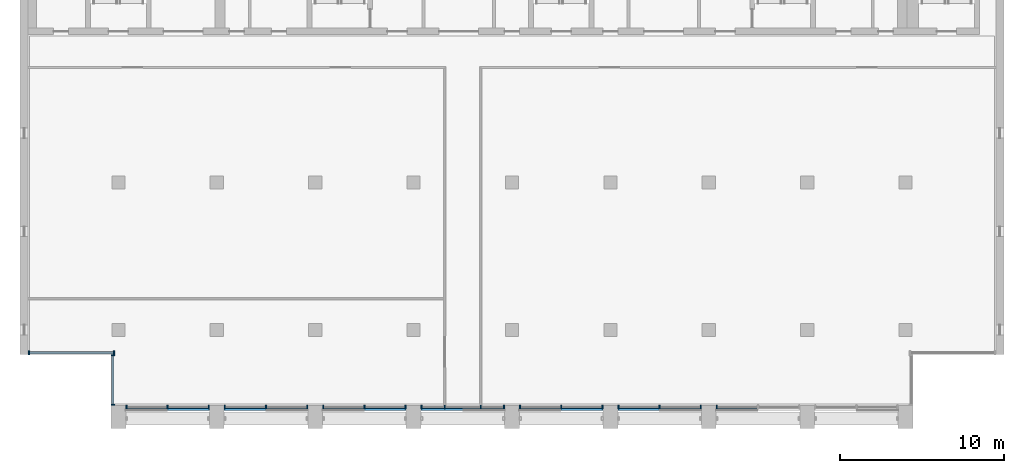
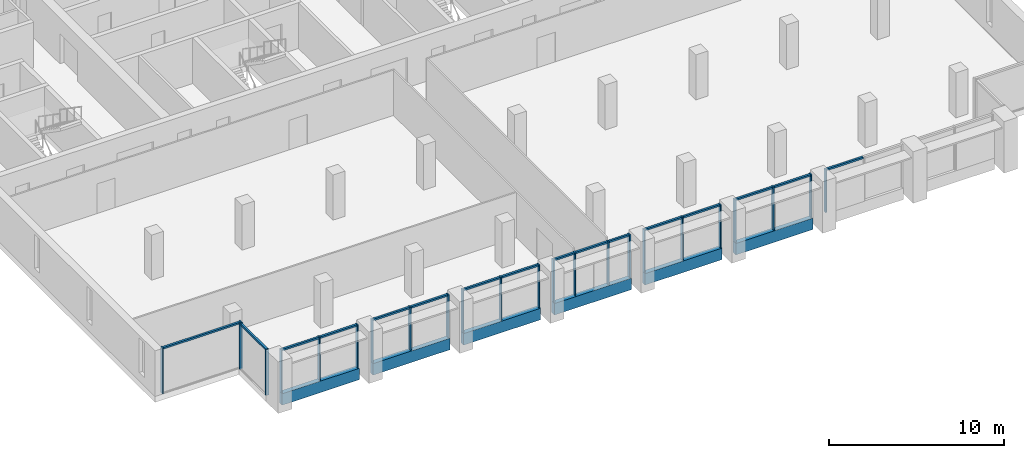
# One storey, part 2 of 14: 40 members, 6 beams, 9 elements without a shape of their own.
"""IFC4 building model written with IfcOpenShell, lengths in metres."""

from ifc_helpers import new_model, si_unit, direction, frame, origin, origin_2d, place, context, subcontext, project, spatial, rectangle, extrude, material, material_profile, profile_set, type_object, element, aggregate, save


model = new_model("IFC4")

# Units and contexts
model_context = context("Model", 3, precision=1e-05, world=origin(), true_north=direction((0.0, 1.0)))
body_context = subcontext(model_context, "Body", "Model", "MODEL_VIEW")
ifc_project = project(units=[si_unit("LENGTHUNIT", "METRE"), si_unit("AREAUNIT", "SQUARE_METRE"), si_unit("VOLUMEUNIT", "CUBIC_METRE"), si_unit("PLANEANGLEUNIT", "RADIAN"), si_unit("MASSUNIT", "GRAM", prefix="KILO")], contexts=[model_context])

# Site, building, storey
site_placement = place(None, origin())
site = spatial("IfcSite", under=ifc_project, at=site_placement, CompositionType="ELEMENT")
building_placement = place(site_placement, origin())
building = spatial("IfcBuilding", under=site, at=building_placement, Name="Calvaro Tower", CompositionType="ELEMENT")
storey_placement = place(building_placement, frame((0.0, 0.0, 262.14990234375)))
storey = spatial("IfcBuildingStorey", under=building, at=storey_placement, Name="L66", CompositionType="ELEMENT", Elevation=262.14990234375)

# Curtain wall, members
ifc_material_1 = material(Name="Anodised aluminium", Category="aluminium")
curtain_wall_type = type_object("IfcCurtainWallType", Name="Executive curtain wall", PredefinedType="NOTDEFINED", material=ifc_material_1)
curtain_wall_1_placement = place(storey_placement, origin())
curtain_wall_1 = element("IfcCurtainWall", 1, at=curtain_wall_1_placement, inside=storey, type_object=curtain_wall_type, Name="CW4 south curtain wall", PredefinedType="NOTDEFINED")
ifc_material_2 = material(Name="Anodised aluminium", Category="aluminium")
ifc_material_profile_1 = material_profile(ifc_material_2, rectangle(XDim=0.219970703125, YDim=0.080078125, at=origin_2d()), Name="Mullion S4 80 x 220")
ifc_profile_set_1 = profile_set([ifc_material_profile_1], Name="Anodised aluminium")
member_type_1 = type_object("IfcMemberType", Name="Mullion S4 80 x 220", PredefinedType="MULLION", material=ifc_profile_set_1)
member_1_placement = place(storey_placement, frame((12.489990234375, 5.2900390625, 0.0), z_axis=(0.0, 0.0, 1.0), x_axis=(0.0, 1.0, 0.0)))
member_1 = element("IfcMember", 2, at=member_1_placement, type_object=member_type_1, Name="CW4 mullion 1", PredefinedType="MULLION", context=body_context, shape_type="SweptSolid", body=[
    extrude(rectangle(XDim=0.219970703125, YDim=0.080078125, at=origin_2d()), origin(), (0.0, 0.0, 1.0), 3.0),
])
member_2_placement = place(storey_placement, frame((15.0, 5.2900390625, 0.0), z_axis=(0.0, 0.0, 1.0), x_axis=(0.0, 1.0, 0.0)))
member_2 = element("IfcMember", 3, at=member_2_placement, type_object=member_type_1, Name="CW4 mullion 2", PredefinedType="MULLION", context=body_context, shape_type="SweptSolid", body=[
    extrude(rectangle(XDim=0.219970703125, YDim=0.080078125, at=origin_2d()), origin(), (0.0, 0.0, 1.0), 3.0),
])
member_3_placement = place(storey_placement, frame((17.510009765625, 5.2900390625, 0.0), z_axis=(0.0, 0.0, 1.0), x_axis=(0.0, 1.0, 0.0)))
member_3 = element("IfcMember", 4, at=member_3_placement, type_object=member_type_1, Name="CW4 mullion 3", PredefinedType="MULLION", context=body_context, shape_type="SweptSolid", body=[
    extrude(rectangle(XDim=0.219970703125, YDim=0.080078125, at=origin_2d()), origin(), (0.0, 0.0, 1.0), 3.0),
])

curtain_wall_2_placement = place(storey_placement, origin())
curtain_wall_2 = element("IfcCurtainWall", 5, at=curtain_wall_2_placement, inside=storey, type_object=curtain_wall_type, Name="CW4 south curtain wall", PredefinedType="NOTDEFINED")
member_4_placement = place(storey_placement, frame((18.489990234375, 5.2900390625, 0.0), z_axis=(0.0, 0.0, 1.0), x_axis=(0.0, 1.0, 0.0)))
member_4 = element("IfcMember", 6, at=member_4_placement, type_object=member_type_1, Name="CW4 mullion 1", PredefinedType="MULLION", context=body_context, shape_type="SweptSolid", body=[
    extrude(rectangle(XDim=0.219970703125, YDim=0.080078125, at=origin_2d()), origin(), (0.0, 0.0, 1.0), 3.0),
])
member_5_placement = place(storey_placement, frame((21.0, 5.2900390625, 0.0), z_axis=(0.0, 0.0, 1.0), x_axis=(0.0, 1.0, 0.0)))
member_5 = element("IfcMember", 7, at=member_5_placement, type_object=member_type_1, Name="CW4 mullion 2", PredefinedType="MULLION", context=body_context, shape_type="SweptSolid", body=[
    extrude(rectangle(XDim=0.219970703125, YDim=0.080078125, at=origin_2d()), origin(), (0.0, 0.0, 1.0), 3.0),
])
member_6_placement = place(storey_placement, frame((23.510009765625, 5.2900390625, 0.0), z_axis=(0.0, 0.0, 1.0), x_axis=(0.0, 1.0, 0.0)))
member_6 = element("IfcMember", 8, at=member_6_placement, type_object=member_type_1, Name="CW4 mullion 3", PredefinedType="MULLION", context=body_context, shape_type="SweptSolid", body=[
    extrude(rectangle(XDim=0.219970703125, YDim=0.080078125, at=origin_2d()), origin(), (0.0, 0.0, 1.0), 3.0),
])

curtain_wall_3_placement = place(storey_placement, origin())
curtain_wall_3 = element("IfcCurtainWall", 9, at=curtain_wall_3_placement, inside=storey, type_object=curtain_wall_type, Name="CW4 south curtain wall", PredefinedType="NOTDEFINED")
member_7_placement = place(storey_placement, frame((24.489990234375, 5.2900390625, 0.0), z_axis=(0.0, 0.0, 1.0), x_axis=(0.0, 1.0, 0.0)))
member_7 = element("IfcMember", 10, at=member_7_placement, type_object=member_type_1, Name="CW4 mullion 1", PredefinedType="MULLION", context=body_context, shape_type="SweptSolid", body=[
    extrude(rectangle(XDim=0.219970703125, YDim=0.080078125, at=origin_2d()), origin(), (0.0, 0.0, 1.0), 3.0),
])
member_8_placement = place(storey_placement, frame((27.0, 5.2900390625, 0.0), z_axis=(0.0, 0.0, 1.0), x_axis=(0.0, 1.0, 0.0)))
member_8 = element("IfcMember", 11, at=member_8_placement, type_object=member_type_1, Name="CW4 mullion 2", PredefinedType="MULLION", context=body_context, shape_type="SweptSolid", body=[
    extrude(rectangle(XDim=0.219970703125, YDim=0.080078125, at=origin_2d()), origin(), (0.0, 0.0, 1.0), 3.0),
])
member_9_placement = place(storey_placement, frame((29.510009765625, 5.2900390625, 0.0), z_axis=(0.0, 0.0, 1.0), x_axis=(0.0, 1.0, 0.0)))
member_9 = element("IfcMember", 12, at=member_9_placement, type_object=member_type_1, Name="CW4 mullion 3", PredefinedType="MULLION", context=body_context, shape_type="SweptSolid", body=[
    extrude(rectangle(XDim=0.219970703125, YDim=0.080078125, at=origin_2d()), origin(), (0.0, 0.0, 1.0), 3.0),
])

curtain_wall_4_placement = place(storey_placement, origin())
curtain_wall_4 = element("IfcCurtainWall", 13, at=curtain_wall_4_placement, inside=storey, type_object=curtain_wall_type, Name="CW4 south curtain wall", PredefinedType="NOTDEFINED")
member_10_placement = place(storey_placement, frame((30.489990234375, 5.2900390625, 0.0), z_axis=(0.0, 0.0, 1.0), x_axis=(0.0, 1.0, 0.0)))
member_10 = element("IfcMember", 14, at=member_10_placement, type_object=member_type_1, Name="CW4 mullion 1", PredefinedType="MULLION", context=body_context, shape_type="SweptSolid", body=[
    extrude(rectangle(XDim=0.219970703125, YDim=0.080078125, at=origin_2d()), origin(), (0.0, 0.0, 1.0), 3.0),
])
member_11_placement = place(storey_placement, frame((31.89990234375, 5.2900390625, 0.0), z_axis=(0.0, 0.0, 1.0), x_axis=(0.0, 1.0, 0.0)))
member_11 = element("IfcMember", 15, at=member_11_placement, type_object=member_type_1, Name="CW4 mullion 2", PredefinedType="MULLION", context=body_context, shape_type="SweptSolid", body=[
    extrude(rectangle(XDim=0.219970703125, YDim=0.080078125, at=origin_2d()), origin(), (0.0, 0.0, 1.0), 3.0),
])
member_12_placement = place(storey_placement, frame((34.10009765625, 5.2900390625, 0.0), z_axis=(0.0, 0.0, 1.0), x_axis=(0.0, 1.0, 0.0)))
member_12 = element("IfcMember", 16, at=member_12_placement, type_object=member_type_1, Name="CW4 mullion 3", PredefinedType="MULLION", context=body_context, shape_type="SweptSolid", body=[
    extrude(rectangle(XDim=0.219970703125, YDim=0.080078125, at=origin_2d()), origin(), (0.0, 0.0, 1.0), 3.0),
])
member_13_placement = place(storey_placement, frame((35.510009765625, 5.2900390625, 0.0), z_axis=(0.0, 0.0, 1.0), x_axis=(0.0, 1.0, 0.0)))
member_13 = element("IfcMember", 17, at=member_13_placement, type_object=member_type_1, Name="CW4 mullion 4", PredefinedType="MULLION", context=body_context, shape_type="SweptSolid", body=[
    extrude(rectangle(XDim=0.219970703125, YDim=0.080078125, at=origin_2d()), origin(), (0.0, 0.0, 1.0), 3.0),
])

curtain_wall_5_placement = place(storey_placement, origin())
curtain_wall_5 = element("IfcCurtainWall", 18, at=curtain_wall_5_placement, inside=storey, type_object=curtain_wall_type, Name="CW4 south curtain wall", PredefinedType="NOTDEFINED")
member_14_placement = place(storey_placement, frame((36.489990234375, 5.2900390625, 0.0), z_axis=(0.0, 0.0, 1.0), x_axis=(0.0, 1.0, 0.0)))
member_14 = element("IfcMember", 19, at=member_14_placement, type_object=member_type_1, Name="CW4 mullion 1", PredefinedType="MULLION", context=body_context, shape_type="SweptSolid", body=[
    extrude(rectangle(XDim=0.219970703125, YDim=0.080078125, at=origin_2d()), origin(), (0.0, 0.0, 1.0), 3.0),
])
member_15_placement = place(storey_placement, frame((39.0, 5.2900390625, 0.0), z_axis=(0.0, 0.0, 1.0), x_axis=(0.0, 1.0, 0.0)))
member_15 = element("IfcMember", 20, at=member_15_placement, type_object=member_type_1, Name="CW4 mullion 2", PredefinedType="MULLION", context=body_context, shape_type="SweptSolid", body=[
    extrude(rectangle(XDim=0.219970703125, YDim=0.080078125, at=origin_2d()), origin(), (0.0, 0.0, 1.0), 3.0),
])
member_16_placement = place(storey_placement, frame((41.510009765625, 5.2900390625, 0.0), z_axis=(0.0, 0.0, 1.0), x_axis=(0.0, 1.0, 0.0)))
member_16 = element("IfcMember", 21, at=member_16_placement, type_object=member_type_1, Name="CW4 mullion 3", PredefinedType="MULLION", context=body_context, shape_type="SweptSolid", body=[
    extrude(rectangle(XDim=0.219970703125, YDim=0.080078125, at=origin_2d()), origin(), (0.0, 0.0, 1.0), 3.0),
])

curtain_wall_6_placement = place(storey_placement, origin())
curtain_wall_6 = element("IfcCurtainWall", 22, at=curtain_wall_6_placement, inside=storey, type_object=curtain_wall_type, Name="CW4 south curtain wall", PredefinedType="NOTDEFINED")
member_17_placement = place(storey_placement, frame((42.489990234375, 5.2900390625, 0.0), z_axis=(0.0, 0.0, 1.0), x_axis=(0.0, 1.0, 0.0)))
member_17 = element("IfcMember", 23, at=member_17_placement, type_object=member_type_1, Name="CW4 mullion 1", PredefinedType="MULLION", context=body_context, shape_type="SweptSolid", body=[
    extrude(rectangle(XDim=0.219970703125, YDim=0.080078125, at=origin_2d()), origin(), (0.0, 0.0, 1.0), 3.0),
])
member_18_placement = place(storey_placement, frame((45.0, 5.2900390625, 0.0), z_axis=(0.0, 0.0, 1.0), x_axis=(0.0, 1.0, 0.0)))
member_18 = element("IfcMember", 24, at=member_18_placement, type_object=member_type_1, Name="CW4 mullion 2", PredefinedType="MULLION", context=body_context, shape_type="SweptSolid", body=[
    extrude(rectangle(XDim=0.219970703125, YDim=0.080078125, at=origin_2d()), origin(), (0.0, 0.0, 1.0), 3.0),
])
member_19_placement = place(storey_placement, frame((47.510009765625, 5.2900390625, 0.0), z_axis=(0.0, 0.0, 1.0), x_axis=(0.0, 1.0, 0.0)))
member_19 = element("IfcMember", 25, at=member_19_placement, type_object=member_type_1, Name="CW4 mullion 3", PredefinedType="MULLION", context=body_context, shape_type="SweptSolid", body=[
    extrude(rectangle(XDim=0.219970703125, YDim=0.080078125, at=origin_2d()), origin(), (0.0, 0.0, 1.0), 3.0),
])

# Curtain wall, member
curtain_wall_7_placement = place(storey_placement, origin())
curtain_wall_7 = element("IfcCurtainWall", 26, at=curtain_wall_7_placement, inside=storey, type_object=curtain_wall_type, Name="CW4 south curtain wall", PredefinedType="NOTDEFINED")
member_20_placement = place(storey_placement, frame((48.489990234375, 5.2900390625, 0.0), z_axis=(0.0, 0.0, 1.0), x_axis=(0.0, 1.0, 0.0)))
member_20 = element("IfcMember", 27, at=member_20_placement, type_object=member_type_1, Name="CW4 mullion 1", PredefinedType="MULLION", context=body_context, shape_type="SweptSolid", body=[
    extrude(rectangle(XDim=0.219970703125, YDim=0.080078125, at=origin_2d()), origin(), (0.0, 0.0, 1.0), 3.0),
])

# Curtain wall, members
curtain_wall_8_placement = place(storey_placement, origin())
curtain_wall_8 = element("IfcCurtainWall", 28, at=curtain_wall_8_placement, inside=storey, type_object=curtain_wall_type, Name="CW4 corner curtain wall", PredefinedType="NOTDEFINED")
member_21_placement = place(storey_placement, frame((11.659912109375, 5.43994140625, 0.0), z_axis=(0.0, 0.0, 1.0), x_axis=(-1.0, 0.0, 0.0)))
member_21 = element("IfcMember", 29, at=member_21_placement, type_object=member_type_1, Name="CW4 mullion 1", PredefinedType="MULLION", context=body_context, shape_type="SweptSolid", body=[
    extrude(rectangle(XDim=0.219970703125, YDim=0.080078125, at=origin_2d()), origin(), (0.0, 0.0, 1.0), 3.2001953125),
])
member_22_placement = place(storey_placement, frame((11.659912109375, 8.4599609375, 0.0), z_axis=(0.0, 0.0, 1.0), x_axis=(-1.0, 0.0, 0.0)))
member_22 = element("IfcMember", 30, at=member_22_placement, type_object=member_type_1, Name="CW4 mullion 2", PredefinedType="MULLION", context=body_context, shape_type="SweptSolid", body=[
    extrude(rectangle(XDim=0.219970703125, YDim=0.080078125, at=origin_2d()), origin(), (0.0, 0.0, 1.0), 3.2001953125),
])

curtain_wall_9_placement = place(storey_placement, origin())
curtain_wall_9 = element("IfcCurtainWall", 31, at=curtain_wall_9_placement, inside=storey, type_object=curtain_wall_type, Name="CW4 corner curtain wall", PredefinedType="NOTDEFINED")
member_23_placement = place(storey_placement, frame((6.5400390625, 8.610107421875, 0.0), z_axis=(0.0, 0.0, 1.0), x_axis=(0.0, 1.0, 0.0)))
member_23 = element("IfcMember", 32, at=member_23_placement, type_object=member_type_1, Name="CW4 mullion 1", PredefinedType="MULLION", context=body_context, shape_type="SweptSolid", body=[
    extrude(rectangle(XDim=0.219970703125, YDim=0.080078125, at=origin_2d()), origin(), (0.0, 0.0, 1.0), 3.2001953125),
])
member_24_placement = place(storey_placement, frame((11.72998046875, 8.610107421875, 0.0), z_axis=(0.0, 0.0, 1.0), x_axis=(0.0, 1.0, 0.0)))
member_24 = element("IfcMember", 33, at=member_24_placement, type_object=member_type_1, Name="CW4 mullion 2", PredefinedType="MULLION", context=body_context, shape_type="SweptSolid", body=[
    extrude(rectangle(XDim=0.219970703125, YDim=0.080078125, at=origin_2d()), origin(), (0.0, 0.0, 1.0), 3.2001953125),
])

# Beams
ifc_material_3 = material(Name="Concrete C50/60 precast", Category="concrete")
ifc_material_profile_2 = material_profile(ifc_material_3, rectangle(XDim=0.300048828125, YDim=0.800048828125, at=origin_2d()), Name="RC 300x800")
ifc_profile_set_2 = profile_set([ifc_material_profile_2], Name="Concrete C50/60 precast")
beam_type = type_object("IfcBeamType", Name="Spandrel beam 300x800 C50/60", PredefinedType="SPANDREL", material=ifc_profile_set_2)
for number, where, z_axis, x_axis, name in (
    (34, (12.449951171875, 5.25, -0.39990234375), (1.0, 0.0, 0.0), (0.0, 1.0, 0.0), "Spandrel beam"),
    (35, (18.449951171875, 5.25, -0.39990234375), (1.0, 0.0, 0.0), (0.0, 1.0, 0.0), "Spandrel beam"),
    (36, (24.449951171875, 5.25, -0.39990234375), (1.0, 0.0, 0.0), (0.0, 1.0, 0.0), "Spandrel beam"),
    (37, (30.449951171875, 5.25, -0.39990234375), (1.0, 0.0, 0.0), (0.0, 1.0, 0.0), "Spandrel beam"),
    (38, (36.449951171875, 5.25, -0.39990234375), (1.0, 0.0, 0.0), (0.0, 1.0, 0.0), "Spandrel beam"),
    (39, (42.449951171875, 5.25, -0.39990234375), (1.0, 0.0, 0.0), (0.0, 1.0, 0.0), "Spandrel beam"),
):
    element("IfcBeam", number, at=place(storey_placement, frame(where, z_axis=z_axis, x_axis=x_axis)), inside=storey, type_object=beam_type, Name=name, PredefinedType="SPANDREL", context=body_context, shape_type="SweptSolid", body=[
        extrude(rectangle(XDim=0.300048828125, YDim=0.800048828125, at=origin_2d()), origin(), (0.0, 0.0, 1.0), 5.10009765625),
    ])

# Member
ifc_material_4 = material(Name="Anodised aluminium", Category="aluminium")
ifc_material_profile_3 = material_profile(ifc_material_4, rectangle(XDim=0.139892578125, YDim=0.1201171875, at=origin_2d()), Name="Transom S4 120 x 140")
ifc_profile_set_3 = profile_set([ifc_material_profile_3], Name="Anodised aluminium")
member_type_2 = type_object("IfcMemberType", Name="Transom S4 120 x 140", PredefinedType="USERDEFINED", material=ifc_profile_set_3)
member_25_placement = place(storey_placement, frame((12.530029296875, 5.2900390625, 2.940185546875), z_axis=(1.0, 0.0, 0.0), x_axis=(0.0, 1.0, 0.0)))
member_25 = element("IfcMember", 40, at=member_25_placement, type_object=member_type_2, Name="CW4 transom 1.1", ObjectType="TRANSOM", PredefinedType="USERDEFINED", context=body_context, shape_type="SweptSolid", body=[
    extrude(rectangle(XDim=0.139892578125, YDim=0.1201171875, at=origin_2d()), origin(), (0.0, 0.0, 1.0), 2.429931640625),
])

member_26_placement = place(storey_placement, frame((15.0400390625, 5.2900390625, 2.940185546875), z_axis=(1.0, 0.0, 0.0), x_axis=(0.0, 1.0, 0.0)))
member_26 = element("IfcMember", 41, at=member_26_placement, type_object=member_type_2, Name="CW4 transom 2.1", ObjectType="TRANSOM", PredefinedType="USERDEFINED", context=body_context, shape_type="SweptSolid", body=[
    extrude(rectangle(XDim=0.139892578125, YDim=0.1201171875, at=origin_2d()), origin(), (0.0, 0.0, 1.0), 2.429931640625),
])

aggregate(curtain_wall_1, [member_1, member_2, member_3, member_25, member_26])

member_27_placement = place(storey_placement, frame((18.530029296875, 5.2900390625, 2.940185546875), z_axis=(1.0, 0.0, 0.0), x_axis=(0.0, 1.0, 0.0)))
member_27 = element("IfcMember", 42, at=member_27_placement, type_object=member_type_2, Name="CW4 transom 1.1", ObjectType="TRANSOM", PredefinedType="USERDEFINED", context=body_context, shape_type="SweptSolid", body=[
    extrude(rectangle(XDim=0.139892578125, YDim=0.1201171875, at=origin_2d()), origin(), (0.0, 0.0, 1.0), 2.429931640625),
])

member_28_placement = place(storey_placement, frame((21.0400390625, 5.2900390625, 2.940185546875), z_axis=(1.0, 0.0, 0.0), x_axis=(0.0, 1.0, 0.0)))
member_28 = element("IfcMember", 43, at=member_28_placement, type_object=member_type_2, Name="CW4 transom 2.1", ObjectType="TRANSOM", PredefinedType="USERDEFINED", context=body_context, shape_type="SweptSolid", body=[
    extrude(rectangle(XDim=0.139892578125, YDim=0.1201171875, at=origin_2d()), origin(), (0.0, 0.0, 1.0), 2.429931640625),
])

aggregate(curtain_wall_2, [member_4, member_5, member_6, member_27, member_28])

member_29_placement = place(storey_placement, frame((24.530029296875, 5.2900390625, 2.940185546875), z_axis=(1.0, 0.0, 0.0), x_axis=(0.0, 1.0, 0.0)))
member_29 = element("IfcMember", 44, at=member_29_placement, type_object=member_type_2, Name="CW4 transom 1.1", ObjectType="TRANSOM", PredefinedType="USERDEFINED", context=body_context, shape_type="SweptSolid", body=[
    extrude(rectangle(XDim=0.139892578125, YDim=0.1201171875, at=origin_2d()), origin(), (0.0, 0.0, 1.0), 2.429931640625),
])

member_30_placement = place(storey_placement, frame((27.0400390625, 5.2900390625, 2.940185546875), z_axis=(1.0, 0.0, 0.0), x_axis=(0.0, 1.0, 0.0)))
member_30 = element("IfcMember", 45, at=member_30_placement, type_object=member_type_2, Name="CW4 transom 2.1", ObjectType="TRANSOM", PredefinedType="USERDEFINED", context=body_context, shape_type="SweptSolid", body=[
    extrude(rectangle(XDim=0.139892578125, YDim=0.1201171875, at=origin_2d()), origin(), (0.0, 0.0, 1.0), 2.429931640625),
])

aggregate(curtain_wall_3, [member_7, member_8, member_9, member_29, member_30])

member_31_placement = place(storey_placement, frame((30.530029296875, 5.2900390625, 2.940185546875), z_axis=(1.0, 0.0, 0.0), x_axis=(0.0, 1.0, 0.0)))
member_31 = element("IfcMember", 46, at=member_31_placement, type_object=member_type_2, Name="CW4 transom 1.1", ObjectType="TRANSOM", PredefinedType="USERDEFINED", context=body_context, shape_type="SweptSolid", body=[
    extrude(rectangle(XDim=0.139892578125, YDim=0.1201171875, at=origin_2d()), origin(), (0.0, 0.0, 1.0), 1.330078125),
])

member_32_placement = place(storey_placement, frame((31.93994140625, 5.2900390625, 2.940185546875), z_axis=(1.0, 0.0, 0.0), x_axis=(0.0, 1.0, 0.0)))
member_32 = element("IfcMember", 47, at=member_32_placement, type_object=member_type_2, Name="CW4 transom 2.1", ObjectType="TRANSOM", PredefinedType="USERDEFINED", context=body_context, shape_type="SweptSolid", body=[
    extrude(rectangle(XDim=0.139892578125, YDim=0.1201171875, at=origin_2d()), origin(), (0.0, 0.0, 1.0), 2.1201171875),
])

member_33_placement = place(storey_placement, frame((34.139892578125, 5.2900390625, 2.940185546875), z_axis=(1.0, 0.0, 0.0), x_axis=(0.0, 1.0, 0.0)))
member_33 = element("IfcMember", 48, at=member_33_placement, type_object=member_type_2, Name="CW4 transom 3.1", ObjectType="TRANSOM", PredefinedType="USERDEFINED", context=body_context, shape_type="SweptSolid", body=[
    extrude(rectangle(XDim=0.139892578125, YDim=0.1201171875, at=origin_2d()), origin(), (0.0, 0.0, 1.0), 1.330078125),
])

aggregate(curtain_wall_4, [member_10, member_11, member_12, member_13, member_31, member_32, member_33])

member_34_placement = place(storey_placement, frame((36.530029296875, 5.2900390625, 2.940185546875), z_axis=(1.0, 0.0, 0.0), x_axis=(0.0, 1.0, 0.0)))
member_34 = element("IfcMember", 49, at=member_34_placement, type_object=member_type_2, Name="CW4 transom 1.1", ObjectType="TRANSOM", PredefinedType="USERDEFINED", context=body_context, shape_type="SweptSolid", body=[
    extrude(rectangle(XDim=0.139892578125, YDim=0.1201171875, at=origin_2d()), origin(), (0.0, 0.0, 1.0), 2.429931640625),
])

member_35_placement = place(storey_placement, frame((39.0400390625, 5.2900390625, 2.940185546875), z_axis=(1.0, 0.0, 0.0), x_axis=(0.0, 1.0, 0.0)))
member_35 = element("IfcMember", 50, at=member_35_placement, type_object=member_type_2, Name="CW4 transom 2.1", ObjectType="TRANSOM", PredefinedType="USERDEFINED", context=body_context, shape_type="SweptSolid", body=[
    extrude(rectangle(XDim=0.139892578125, YDim=0.1201171875, at=origin_2d()), origin(), (0.0, 0.0, 1.0), 2.429931640625),
])

aggregate(curtain_wall_5, [member_14, member_15, member_16, member_34, member_35])

member_36_placement = place(storey_placement, frame((42.530029296875, 5.2900390625, 2.940185546875), z_axis=(1.0, 0.0, 0.0), x_axis=(0.0, 1.0, 0.0)))
member_36 = element("IfcMember", 51, at=member_36_placement, type_object=member_type_2, Name="CW4 transom 1.1", ObjectType="TRANSOM", PredefinedType="USERDEFINED", context=body_context, shape_type="SweptSolid", body=[
    extrude(rectangle(XDim=0.139892578125, YDim=0.1201171875, at=origin_2d()), origin(), (0.0, 0.0, 1.0), 2.429931640625),
])

member_37_placement = place(storey_placement, frame((45.0400390625, 5.2900390625, 2.940185546875), z_axis=(1.0, 0.0, 0.0), x_axis=(0.0, 1.0, 0.0)))
member_37 = element("IfcMember", 52, at=member_37_placement, type_object=member_type_2, Name="CW4 transom 2.1", ObjectType="TRANSOM", PredefinedType="USERDEFINED", context=body_context, shape_type="SweptSolid", body=[
    extrude(rectangle(XDim=0.139892578125, YDim=0.1201171875, at=origin_2d()), origin(), (0.0, 0.0, 1.0), 2.429931640625),
])

aggregate(curtain_wall_6, [member_17, member_18, member_19, member_36, member_37])

member_38_placement = place(storey_placement, frame((48.530029296875, 5.2900390625, 2.940185546875), z_axis=(1.0, 0.0, 0.0), x_axis=(0.0, 1.0, 0.0)))
member_38 = element("IfcMember", 53, at=member_38_placement, type_object=member_type_2, Name="CW4 transom 1.1", ObjectType="TRANSOM", PredefinedType="USERDEFINED", context=body_context, shape_type="SweptSolid", body=[
    extrude(rectangle(XDim=0.139892578125, YDim=0.1201171875, at=origin_2d()), origin(), (0.0, 0.0, 1.0), 2.429931640625),
])

aggregate(curtain_wall_7, [member_20, member_38])

member_39_placement = place(storey_placement, frame((11.659912109375, 5.47998046875, 3.14013671875), z_axis=(0.0, 1.0, 0.0), x_axis=(-1.0, 0.0, 0.0)))
member_39 = element("IfcMember", 54, at=member_39_placement, type_object=member_type_2, Name="CW4 transom 1.1", ObjectType="TRANSOM", PredefinedType="USERDEFINED", context=body_context, shape_type="SweptSolid", body=[
    extrude(rectangle(XDim=0.139892578125, YDim=0.1201171875, at=origin_2d()), origin(), (0.0, 0.0, 1.0), 2.93994140625),
])

aggregate(curtain_wall_8, [member_21, member_22, member_39])

member_40_placement = place(storey_placement, frame((6.580078125, 8.610107421875, 3.14013671875), z_axis=(1.0, 0.0, 0.0), x_axis=(0.0, 1.0, 0.0)))
member_40 = element("IfcMember", 55, at=member_40_placement, type_object=member_type_2, Name="CW4 transom 1.1", ObjectType="TRANSOM", PredefinedType="USERDEFINED", context=body_context, shape_type="SweptSolid", body=[
    extrude(rectangle(XDim=0.139892578125, YDim=0.1201171875, at=origin_2d()), origin(), (0.0, 0.0, 1.0), 5.10986328125),
])

aggregate(curtain_wall_9, [member_23, member_24, member_40])

save(model, "model.ifc")
